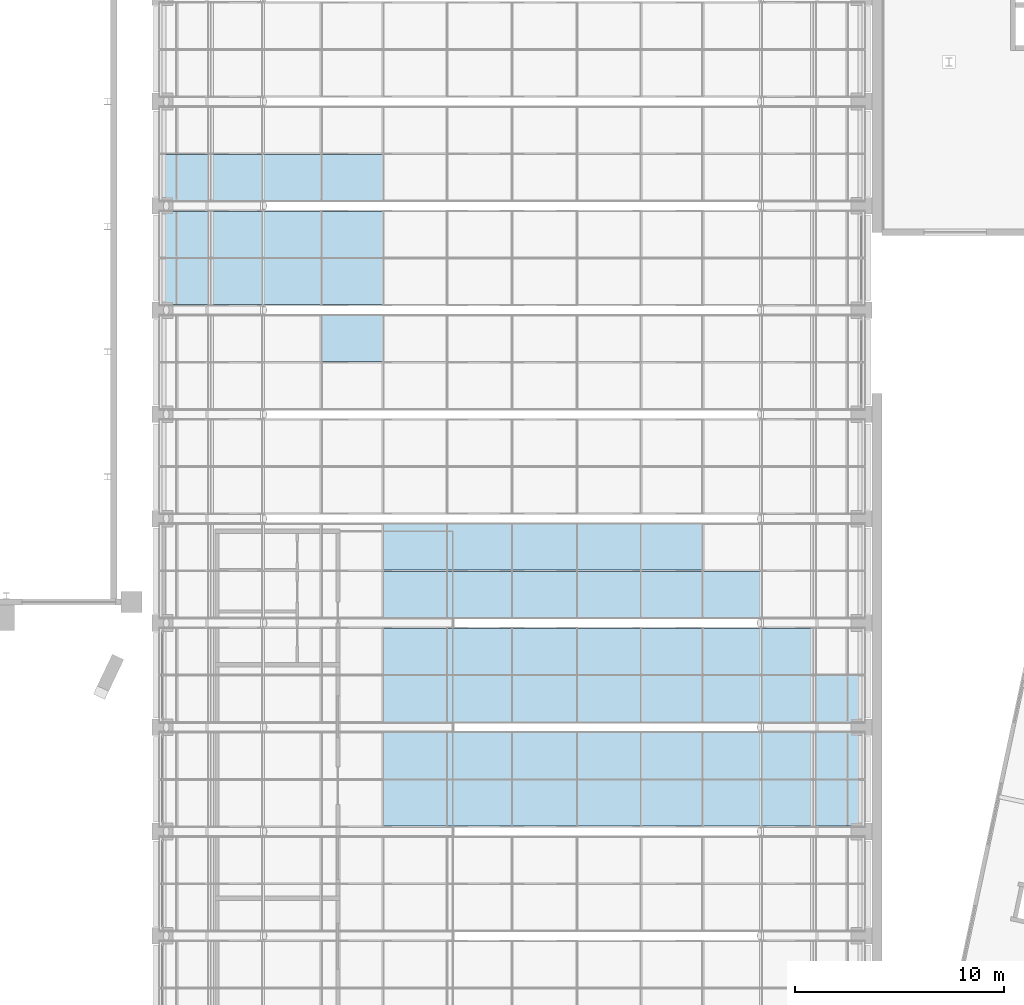
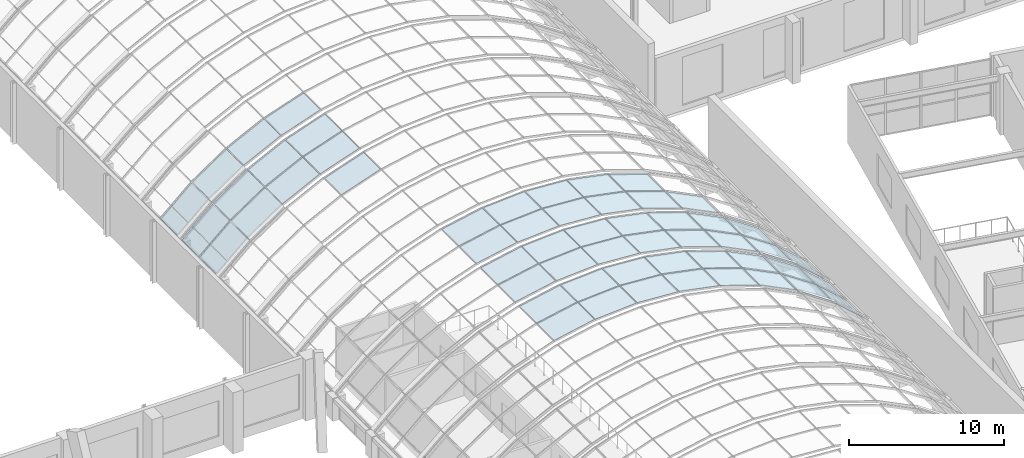
# One storey, part 109 of 182: 55 plates, 6 elements without a shape of their own.
"""IFC4 building model written with IfcOpenShell, lengths in metres."""

import ifcopenshell
import ifcopenshell.guid

model = None  # the IFC model being written
_history = None  # IfcOwnerHistory: only IFC2X3 demands one
_inside = {}  # id of a spatial element -> (the spatial element, [elements in it])
_under = {}  # id of a project, library or spatial element -> (it, [spatial elements below it])
_declared = {}  # id of a project -> (the project, [libraries it declares])
_typed = {}  # id of a type object -> (the type object, [elements of that type])
_made_of = {}  # id of a material, layer set ... -> (it, [elements and type objects made of it])


def new_model(schema):
    """Start an empty IFC model of exactly this schema.

    Asked for "IFC4X3", IfcOpenShell would pick the latest addendum, in which some entities
    have other attributes; the version numbers below select the first issue.
    IFC2X3 requires an IfcOwnerHistory on every rooted entity: one is made here for all.
    """
    global model, _history
    if schema == "IFC4X3":
        model = ifcopenshell.file(schema_version=(4, 3, 0, 0))
    else:
        model = ifcopenshell.file(schema=schema)
    _inside.clear()
    _under.clear()
    _declared.clear()
    _typed.clear()
    _made_of.clear()
    _history = None
    if model.schema == "IFC2X3":
        org = make("IfcOrganization", Name="unknown")
        user = make(
            "IfcPersonAndOrganization",
            ThePerson=make("IfcPerson", FamilyName="unknown"),
            TheOrganization=org,
        )
        app = make(
            "IfcApplication",
            ApplicationDeveloper=org,
            Version="unknown",
            ApplicationFullName="unknown",
            ApplicationIdentifier="unknown",
        )
        _history = make(
            "IfcOwnerHistory",
            OwningUser=user,
            OwningApplication=app,
            ChangeAction="ADDED",
            CreationDate=0,
        )
    return model


def make(cls, **values):
    """One entity of the class cls with the attributes given. An attribute that is None is left unset."""
    return model.create_entity(
        cls, **{name: value for name, value in values.items() if value is not None}
    )


def rooted(cls, **values):
    """An entity with a GlobalId (a new one), such as an element, a storey or a relation."""
    return make(cls, GlobalId=ifcopenshell.guid.new(), OwnerHistory=_history, **values)


def si_unit(unit_type, name, prefix=None):
    """IfcSIUnit, for example si_unit("LENGTHUNIT", "METRE", prefix="MILLI")."""
    return make("IfcSIUnit", UnitType=unit_type, Prefix=prefix, Name=name)


def assignment(units):
    """IfcUnitAssignment: the units of a project."""
    return None if units is None else make("IfcUnitAssignment", Units=units)


def point(xyz):
    """IfcCartesianPoint."""
    return None if xyz is None else make("IfcCartesianPoint", Coordinates=xyz)


def direction(xyz):
    """IfcDirection."""
    return None if xyz is None else make("IfcDirection", DirectionRatios=xyz)


def frame(location, z_axis=None, x_axis=None):
    """IfcAxis2Placement3D, a coordinate frame: its origin and axes. An axis left out is left unset."""
    return make(
        "IfcAxis2Placement3D",
        Location=point(location),
        Axis=direction(z_axis),
        RefDirection=direction(x_axis),
    )


def origin():
    """The frame at (0, 0, 0) with its axes left unset."""
    return frame((0.0, 0.0, 0.0))


def place(relative_to, where):
    """IfcLocalPlacement: puts the frame where relative to a parent placement (None: the world)."""
    return make(
        "IfcLocalPlacement", PlacementRelTo=relative_to, RelativePlacement=where
    )


def context(
    kind, dimensions, precision=None, world=None, true_north=None, identifier=None
):
    """IfcGeometricRepresentationContext, for example the 3D "Model" context."""
    return make(
        "IfcGeometricRepresentationContext",
        ContextIdentifier=identifier,
        ContextType=kind,
        CoordinateSpaceDimension=dimensions,
        Precision=precision,
        WorldCoordinateSystem=world,
        TrueNorth=true_north,
    )


def subcontext(parent, identifier, kind, view, scale=None):
    """IfcGeometricRepresentationSubContext, for example "Body" below "Model"."""
    return make(
        "IfcGeometricRepresentationSubContext",
        ContextIdentifier=identifier,
        ContextType=kind,
        ParentContext=parent,
        TargetScale=scale,
        TargetView=view,
    )


def project(units=None, contexts=None):
    """IfcProject with its units and contexts."""
    return rooted(
        "IfcProject",
        Name="project",
        RepresentationContexts=contexts,
        UnitsInContext=assignment(units),
    )


def spatial(cls, under=None, at=None, **own):
    """A site, building, storey or space (cls), placed at a placement, below another one or the project."""
    s = rooted(cls, ObjectPlacement=at, **own)
    if under is not None:
        _under.setdefault(under.id(), (under, []))[1].append(s)
    return s


def polyline(points):
    """IfcPolyline through the points."""
    return make("IfcPolyline", Points=[point(p) for p in points])


def outline(outer, holes=None, kind="AREA"):
    """IfcArbitraryClosedProfileDef: a profile drawn as a closed curve; with holes, ...WithVoids."""
    if holes is None:
        return make("IfcArbitraryClosedProfileDef", ProfileType=kind, OuterCurve=outer)
    return make(
        "IfcArbitraryProfileDefWithVoids",
        ProfileType=kind,
        OuterCurve=outer,
        InnerCurves=holes,
    )


def extrude(swept, where, along, depth):
    """IfcExtrudedAreaSolid: the profile swept, set in the frame where, extruded along a direction by depth."""
    return make(
        "IfcExtrudedAreaSolid",
        SweptArea=swept,
        Position=where,
        ExtrudedDirection=direction(along),
        Depth=depth,
    )


def shape(context_of_items, identifier, shape_type, items):
    """IfcShapeRepresentation: the items that make up one representation, for example the "Body"."""
    return make(
        "IfcShapeRepresentation",
        ContextOfItems=context_of_items,
        RepresentationIdentifier=identifier,
        RepresentationType=shape_type,
        Items=items,
    )


def material(Name=None, Category=None):
    """IfcMaterial."""
    return make("IfcMaterial", Name=Name, Category=Category)


def layer(
    of_material, thickness, ventilated=None, Name=None, Category=None, Priority=None
):
    """IfcMaterialLayer: one layer of a wall or slab, of a material (None: an air gap)."""
    return make(
        "IfcMaterialLayer",
        Material=of_material,
        LayerThickness=thickness,
        IsVentilated=ventilated,
        Name=Name,
        Category=Category,
        Priority=Priority,
    )


def layer_set(layers, Name=None):
    """IfcMaterialLayerSet."""
    return make("IfcMaterialLayerSet", MaterialLayers=layers, LayerSetName=Name)


def made_of(thing, what):
    """Note that an element or type object is made of a material, layer set ...; save() writes the relation."""
    if what is not None:
        _made_of.setdefault(what.id(), (what, []))[1].append(thing)
    return thing


def type_object(cls, material=None, **own):
    """A type object (cls), such as IfcWallType, which elements share."""
    return made_of(rooted(cls, **own), material)


def element(
    cls,
    number,
    at=None,
    inside=None,
    cuts=None,
    type_object=None,
    material=None,
    context=None,
    identifier="Body",
    shape_type=None,
    held_by="IfcProductDefinitionShape",
    body=None,
    shapes=None,
    **own,
):
    """One element of the class cls, such as IfcWall. Its Tag is "e" and its number.

    at: its placement. inside: the storey or other place that contains it. cuts: it is an
    opening in that element (IfcRelVoidsElement). A single representation is given by context,
    identifier, shape_type and body (its items); several are given by shapes. held_by: the class
    of the entity that holds the representations. save() writes the other relations.
    """
    e = rooted(cls, Tag="e%d" % number, ObjectPlacement=at, **own)
    if body is not None:
        shapes = [shape(context, identifier, shape_type, body)]
    if shapes is not None:
        e.Representation = make(held_by, Representations=shapes)
    if inside is not None:
        _inside.setdefault(inside.id(), (inside, []))[1].append(e)
    if cuts is not None:
        rooted(
            "IfcRelVoidsElement", RelatingBuildingElement=cuts, RelatedOpeningElement=e
        )
    if type_object is not None:
        _typed.setdefault(type_object.id(), (type_object, []))[1].append(e)
    return made_of(e, material)


def aggregate(whole, parts):
    """IfcRelAggregates: a whole, such as a stair, and the parts it consists of."""
    return rooted("IfcRelAggregates", RelatingObject=whole, RelatedObjects=parts)


def save(model, path):
    """Write the relations noted so far, then the file.

    IfcRelAggregates (storeys below a building ...), IfcRelContainedInSpatialStructure (elements
    in a storey), IfcRelDefinesByType, IfcRelAssociatesMaterial and IfcRelDeclares: one each for
    every whole, place, type object, material and project.
    """
    for whole, parts in _under.values():
        aggregate(whole, parts)
    for where, things in _inside.values():
        rooted(
            "IfcRelContainedInSpatialStructure",
            RelatedElements=things,
            RelatingStructure=where,
        )
    for kind, things in _typed.values():
        rooted("IfcRelDefinesByType", RelatedObjects=things, RelatingType=kind)
    for what, things in _made_of.values():
        rooted("IfcRelAssociatesMaterial", RelatedObjects=things, RelatingMaterial=what)
    for by, libraries in _declared.values():
        rooted("IfcRelDeclares", RelatingContext=by, RelatedDefinitions=libraries)
    model.write(path)


model = new_model("IFC4")

# Units and contexts
model_context = context("Model", 3, precision=1e-05, world=origin(), true_north=direction((0.0, 1.0)))
body_context = subcontext(model_context, "Body", "Model", "MODEL_VIEW")
ifc_project = project(units=[si_unit("LENGTHUNIT", "METRE"), si_unit("AREAUNIT", "SQUARE_METRE"), si_unit("VOLUMEUNIT", "CUBIC_METRE"), si_unit("PLANEANGLEUNIT", "RADIAN"), si_unit("MASSUNIT", "GRAM", prefix="KILO")], contexts=[model_context])

# Site, building, storey
site_placement = place(None, origin())
site = spatial("IfcSite", under=ifc_project, at=site_placement, CompositionType="ELEMENT")
building_placement = place(site_placement, origin())
building = spatial("IfcBuilding", under=site, at=building_placement, Name="Okhra Congress Centre", CompositionType="ELEMENT")
storey_placement = place(building_placement, frame((0.0, 0.0, 7.199951171875)))
storey = spatial("IfcBuildingStorey", under=building, at=storey_placement, Name="L01", CompositionType="ELEMENT", Elevation=7.199951171875)

# Curtain wall, plates
ifc_material_1 = material(Name="Aluminium frame with triple glazing", Category="aluminium")
curtain_wall_type = type_object("IfcCurtainWallType", Name="Glazed vault bay curtain wall", PredefinedType="NOTDEFINED", material=ifc_material_1)
curtain_wall_1_placement = place(storey_placement, origin())
curtain_wall_1 = element("IfcCurtainWall", 1, at=curtain_wall_1_placement, inside=storey, type_object=curtain_wall_type, Name="Vault glazing bay 10", PredefinedType="NOTDEFINED")
ifc_material_2 = material(Name="Laminated toughened glass unit, low-e coating", Category="glass")
ifc_layer_1 = layer(ifc_material_2, 0.035888671875)
ifc_layer_set_1 = layer_set([ifc_layer_1], Name="Laminated safety glazing unit 36 mm")
plate_type_1 = type_object("IfcPlateType", Name="Laminated safety glazing unit 36 mm", PredefinedType="CURTAIN_PANEL", material=ifc_layer_set_1)
plate_1_placement = place(storey_placement, frame((184.217529296875, 121.26318359375, 5.729248046875), z_axis=(0.55946738617, 0.0, 0.82885236551), x_axis=(0.82885236551, 0.0, -0.55946738617)))
plate_1 = element("IfcPlate", 2, at=plate_1_placement, type_object=plate_type_1, Name="Vault glass panel 10.1.11", PredefinedType="CURTAIN_PANEL", context=body_context, shape_type="SweptSolid", body=[
    extrude(outline(polyline([(0.0, 0.0), (3.0668817430899797, 0.0), (3.0668817430899797, 2.206787109375), (0.0, 2.206787109375), (0.0, 0.0)])), origin(), (0.0, 0.0, -1.0), 0.035888671875),
])
plate_2_placement = place(storey_placement, frame((186.806640625, 121.26318359375, 3.976806640625), z_axis=(0.663696509452, 0.0, 0.748001967472), x_axis=(0.748001967472, 0.0, -0.663696509452)))
plate_2 = element("IfcPlate", 3, at=plate_2_placement, type_object=plate_type_1, Name="Vault glass panel 10.1.12", PredefinedType="CURTAIN_PANEL", context=body_context, shape_type="SweptSolid", body=[
    extrude(outline(polyline([(0.0, 0.0), (3.066763741617069, 0.0), (3.066763741617069, 2.206787109375), (0.0, 2.206787109375), (0.0, 0.0)])), origin(), (0.0, 0.0, -1.0), 0.035888671875),
])
plate_3_placement = place(storey_placement, frame((184.217529296875, 123.530029296875, 5.729248046875), z_axis=(0.55946738617, 0.0, 0.82885236551), x_axis=(0.82885236551, 0.0, -0.55946738617)))
plate_3 = element("IfcPlate", 4, at=plate_3_placement, type_object=plate_type_1, Name="Vault glass panel 10.2.11", PredefinedType="CURTAIN_PANEL", context=body_context, shape_type="SweptSolid", body=[
    extrude(outline(polyline([(0.0, 0.0), (3.0668817430899797, 0.0), (3.0668817430899797, 2.206787109375), (0.0, 2.206787109375), (0.0, 0.0)])), origin(), (0.0, 0.0, -1.0), 0.035888671875),
])
plate_4_placement = place(storey_placement, frame((186.806640625, 123.530029296875, 3.976806640625), z_axis=(0.663696509452, 0.0, 0.748001967472), x_axis=(0.748001967472, 0.0, -0.663696509452)))
plate_4 = element("IfcPlate", 5, at=plate_4_placement, type_object=plate_type_1, Name="Vault glass panel 10.2.12", PredefinedType="CURTAIN_PANEL", context=body_context, shape_type="SweptSolid", body=[
    extrude(outline(polyline([(0.0, 0.0), (3.066763741617069, 0.0), (3.066763741617069, 2.206787109375), (0.0, 2.206787109375), (0.0, 0.0)])), origin(), (0.0, 0.0, -1.0), 0.035888671875),
])

curtain_wall_2_placement = place(storey_placement, origin())
curtain_wall_2 = element("IfcCurtainWall", 6, at=curtain_wall_2_placement, inside=storey, type_object=curtain_wall_type, Name="Vault glazing bay 11", PredefinedType="NOTDEFINED")
plate_5_placement = place(storey_placement, frame((184.217529296875, 126.26318359375, 5.729248046875), z_axis=(0.55946738617, 0.0, 0.82885236551), x_axis=(0.82885236551, 0.0, -0.55946738617)))
plate_5 = element("IfcPlate", 7, at=plate_5_placement, type_object=plate_type_1, Name="Vault glass panel 11.1.11", PredefinedType="CURTAIN_PANEL", context=body_context, shape_type="SweptSolid", body=[
    extrude(outline(polyline([(0.0, 0.0), (3.0668817430899797, 0.0), (3.0668817430899797, 2.206787109375), (0.0, 2.206787109375), (0.0, 0.0)])), origin(), (0.0, 0.0, -1.0), 0.035888671875),
])
plate_6_placement = place(storey_placement, frame((186.806640625, 126.26318359375, 3.976806640625), z_axis=(0.663696509452, 0.0, 0.748001967472), x_axis=(0.748001967472, 0.0, -0.663696509452)))
plate_6 = element("IfcPlate", 8, at=plate_6_placement, type_object=plate_type_1, Name="Vault glass panel 11.1.12", PredefinedType="CURTAIN_PANEL", context=body_context, shape_type="SweptSolid", body=[
    extrude(outline(polyline([(0.0, 0.0), (3.066763741617069, 0.0), (3.066763741617069, 2.206787109375), (0.0, 2.206787109375), (0.0, 0.0)])), origin(), (0.0, 0.0, -1.0), 0.035888671875),
])
plate_7_placement = place(storey_placement, frame((184.217529296875, 128.530029296875, 5.729248046875), z_axis=(0.55946738617, 0.0, 0.82885236551), x_axis=(0.82885236551, 0.0, -0.55946738617)))
plate_7 = element("IfcPlate", 9, at=plate_7_placement, type_object=plate_type_1, Name="Vault glass panel 11.2.11", PredefinedType="CURTAIN_PANEL", context=body_context, shape_type="SweptSolid", body=[
    extrude(outline(polyline([(0.0, 0.0), (3.0668817430899797, 0.0), (3.0668817430899797, 2.206787109375), (0.0, 2.206787109375), (0.0, 0.0)])), origin(), (0.0, 0.0, -1.0), 0.035888671875),
])

curtain_wall_3_placement = place(storey_placement, origin())
curtain_wall_3 = element("IfcCurtainWall", 10, at=curtain_wall_3_placement, inside=storey, type_object=curtain_wall_type, Name="Vault glazing bay 15", PredefinedType="NOTDEFINED")
plate_8_placement = place(storey_placement, frame((155.3994140625, 146.26318359375, 1.94140625), z_axis=(-0.663696509452, 0.0, 0.748001967472), x_axis=(0.748001967472, 0.0, 0.663696509452)))
plate_8 = element("IfcPlate", 11, at=plate_8_placement, type_object=plate_type_1, Name="Vault glass panel 15.1.1", PredefinedType="CURTAIN_PANEL", context=body_context, shape_type="SweptSolid", body=[
    extrude(outline(polyline([(0.0, 0.0), (3.066763741617069, 0.0), (3.066763741617069, 2.206787109375), (0.0, 2.206787109375), (0.0, 0.0)])), origin(), (0.0, 0.0, -1.0), 0.035888671875),
])
plate_9_placement = place(storey_placement, frame((157.740478515625, 146.26318359375, 4.013427734375), z_axis=(-0.55946738617, 0.0, 0.82885236551), x_axis=(0.82885236551, 0.0, 0.55946738617)))
plate_9 = element("IfcPlate", 12, at=plate_9_placement, type_object=plate_type_1, Name="Vault glass panel 15.1.2", PredefinedType="CURTAIN_PANEL", context=body_context, shape_type="SweptSolid", body=[
    extrude(outline(polyline([(0.0, 0.0), (3.0668817430899797, 0.0), (3.0668817430899797, 2.206787109375), (0.0, 2.206787109375), (0.0, 0.0)])), origin(), (0.0, 0.0, -1.0), 0.035888671875),
])
plate_10_placement = place(storey_placement, frame((155.3994140625, 148.530029296875, 1.94140625), z_axis=(-0.663696509452, 0.0, 0.748001967472), x_axis=(0.748001967472, 0.0, 0.663696509452)))
plate_10 = element("IfcPlate", 13, at=plate_10_placement, type_object=plate_type_1, Name="Vault glass panel 15.2.1", PredefinedType="CURTAIN_PANEL", context=body_context, shape_type="SweptSolid", body=[
    extrude(outline(polyline([(0.0, 0.0), (3.066763741617069, 0.0), (3.066763741617069, 2.206787109375), (0.0, 2.206787109375), (0.0, 0.0)])), origin(), (0.0, 0.0, -1.0), 0.035888671875),
])
plate_11_placement = place(storey_placement, frame((157.740478515625, 148.530029296875, 4.013427734375), z_axis=(-0.55946738617, 0.0, 0.82885236551), x_axis=(0.82885236551, 0.0, 0.55946738617)))
plate_11 = element("IfcPlate", 14, at=plate_11_placement, type_object=plate_type_1, Name="Vault glass panel 15.2.2", PredefinedType="CURTAIN_PANEL", context=body_context, shape_type="SweptSolid", body=[
    extrude(outline(polyline([(0.0, 0.0), (3.0668817430899797, 0.0), (3.0668817430899797, 2.206787109375), (0.0, 2.206787109375), (0.0, 0.0)])), origin(), (0.0, 0.0, -1.0), 0.035888671875),
])

curtain_wall_4_placement = place(storey_placement, origin())
curtain_wall_4 = element("IfcCurtainWall", 15, at=curtain_wall_4_placement, inside=storey, type_object=curtain_wall_type, Name="Vault glazing bay 16", PredefinedType="NOTDEFINED")
plate_12_placement = place(storey_placement, frame((155.3994140625, 151.26318359375, 1.94140625), z_axis=(-0.663696509452, 0.0, 0.748001967472), x_axis=(0.748001967472, 0.0, 0.663696509452)))
plate_12 = element("IfcPlate", 16, at=plate_12_placement, type_object=plate_type_1, Name="Vault glass panel 16.1.1", PredefinedType="CURTAIN_PANEL", context=body_context, shape_type="SweptSolid", body=[
    extrude(outline(polyline([(0.0, 0.0), (3.066763741617069, 0.0), (3.066763741617069, 2.206787109375), (0.0, 2.206787109375), (0.0, 0.0)])), origin(), (0.0, 0.0, -1.0), 0.035888671875),
])
plate_13_placement = place(storey_placement, frame((157.740478515625, 151.26318359375, 4.013427734375), z_axis=(-0.55946738617, 0.0, 0.82885236551), x_axis=(0.82885236551, 0.0, 0.55946738617)))
plate_13 = element("IfcPlate", 17, at=plate_13_placement, type_object=plate_type_1, Name="Vault glass panel 16.1.2", PredefinedType="CURTAIN_PANEL", context=body_context, shape_type="SweptSolid", body=[
    extrude(outline(polyline([(0.0, 0.0), (3.0668817430899797, 0.0), (3.0668817430899797, 2.206787109375), (0.0, 2.206787109375), (0.0, 0.0)])), origin(), (0.0, 0.0, -1.0), 0.035888671875),
])

# Plate
ifc_material_3 = material(Name="Toughened triple glazed unit")
ifc_layer_2 = layer(ifc_material_3, 0.028076171875)
ifc_layer_set_2 = layer_set([ifc_layer_2], Name="Triple glazed unit 28 mm")
plate_type_2 = type_object("IfcPlateType", Name="Triple glazed unit 28 mm", PredefinedType="CURTAIN_PANEL", material=ifc_layer_set_2)
plate_14_placement = place(storey_placement, frame((166.094970703125, 121.26318359375, 8.154052734375), z_axis=(-0.196667336174, 0.0, 0.980470274349), x_axis=(0.980470274349, 0.0, 0.196667336174)))
plate_14 = element("IfcPlate", 18, at=plate_14_placement, type_object=plate_type_2, Name="Vault glass panel 10.1.5", PredefinedType="CURTAIN_PANEL", context=body_context, shape_type="SweptSolid", body=[
    extrude(outline(polyline([(0.0, 0.0), (3.0662302926476426, 0.0), (3.0662302926476426, 2.206787109375), (0.0, 2.206787109375), (0.0, 0.0)])), origin(), (0.0, 0.0, -1.0), 0.028076171875),
])

plate_15_placement = place(storey_placement, frame((169.16064453125, 121.26318359375, 8.764892578125), z_axis=(-0.065932355807, 0.0, 0.997824094947), x_axis=(0.997824094947, 0.0, 0.065932355807)))
plate_15 = element("IfcPlate", 19, at=plate_15_placement, type_object=plate_type_2, Name="Vault glass panel 10.1.6", PredefinedType="CURTAIN_PANEL", context=body_context, shape_type="SweptSolid", body=[
    extrude(outline(polyline([(0.0, 0.0), (3.0659974913073613, 0.0), (3.0659974913073613, 2.2067871093750004), (0.0, 2.2067871093750004), (0.0, 0.0)])), origin(), (0.0, 0.0, -1.0), 0.028076171875),
])

plate_16_placement = place(storey_placement, frame((172.280029296875, 121.26318359375, 8.967041015625), z_axis=(0.065932355807, 0.0, 0.997824094947), x_axis=(0.997824094947, 0.0, -0.065932355807)))
plate_16 = element("IfcPlate", 20, at=plate_16_placement, type_object=plate_type_2, Name="Vault glass panel 10.1.7", PredefinedType="CURTAIN_PANEL", context=body_context, shape_type="SweptSolid", body=[
    extrude(outline(polyline([(0.0, 0.0), (3.0659974913073613, 0.0), (3.0659974913073613, 2.2067871093750004), (0.0, 2.2067871093750004), (0.0, 0.0)])), origin(), (0.0, 0.0, -1.0), 0.028076171875),
])

plate_17_placement = place(storey_placement, frame((175.398681640625, 121.26318359375, 8.757080078125), z_axis=(0.196667336174, 0.0, 0.980470274349), x_axis=(0.980470274349, 0.0, -0.196667336174)))
plate_17 = element("IfcPlate", 21, at=plate_17_placement, type_object=plate_type_2, Name="Vault glass panel 10.1.8", PredefinedType="CURTAIN_PANEL", context=body_context, shape_type="SweptSolid", body=[
    extrude(outline(polyline([(0.0, 0.0), (3.0662302926476426, 0.0), (3.0662302926476426, 2.206787109375), (0.0, 2.206787109375), (0.0, 0.0)])), origin(), (0.0, 0.0, -1.0), 0.028076171875),
])

plate_18_placement = place(storey_placement, frame((178.462890625, 121.26318359375, 8.138427734375), z_axis=(0.323909017048, 0.0, 0.946088235143), x_axis=(0.946088235143, 0.0, -0.323909017048)))
plate_18 = element("IfcPlate", 22, at=plate_18_placement, type_object=plate_type_2, Name="Vault glass panel 10.1.9", PredefinedType="CURTAIN_PANEL", context=body_context, shape_type="SweptSolid", body=[
    extrude(outline(polyline([(0.0, 0.0), (3.0661822000278622, 0.0), (3.0661822000278622, 2.2067871093750004), (0.0, 2.2067871093750004), (0.0, 0.0)])), origin(), (0.0, 0.0, -1.0), 0.028076171875),
])

plate_19_placement = place(storey_placement, frame((181.4189453125, 121.26318359375, 7.122314453125), z_axis=(0.445588482535, 0.0, 0.895237903706), x_axis=(0.895237903706, 0.0, -0.445588482535)))
plate_19 = element("IfcPlate", 23, at=plate_19_placement, type_object=plate_type_2, Name="Vault glass panel 10.1.10", PredefinedType="CURTAIN_PANEL", context=body_context, shape_type="SweptSolid", body=[
    extrude(outline(polyline([(0.0, 0.0), (3.066082250887193, 0.0), (3.066082250887193, 2.206787109375), (0.0, 2.206787109375), (0.0, 0.0)])), origin(), (0.0, 0.0, -1.0), 0.028076171875),
])

plate_20_placement = place(storey_placement, frame((166.094970703125, 123.530029296875, 8.154052734375), z_axis=(-0.196667336174, 0.0, 0.980470274349), x_axis=(0.980470274349, 0.0, 0.196667336174)))
plate_20 = element("IfcPlate", 24, at=plate_20_placement, type_object=plate_type_2, Name="Vault glass panel 10.2.5", PredefinedType="CURTAIN_PANEL", context=body_context, shape_type="SweptSolid", body=[
    extrude(outline(polyline([(0.0, 0.0), (3.0662302926476426, 0.0), (3.0662302926476426, 2.206787109375), (0.0, 2.206787109375), (0.0, 0.0)])), origin(), (0.0, 0.0, -1.0), 0.028076171875),
])

plate_21_placement = place(storey_placement, frame((169.16064453125, 123.530029296875, 8.764892578125), z_axis=(-0.065932355807, 0.0, 0.997824094947), x_axis=(0.997824094947, 0.0, 0.065932355807)))
plate_21 = element("IfcPlate", 25, at=plate_21_placement, type_object=plate_type_2, Name="Vault glass panel 10.2.6", PredefinedType="CURTAIN_PANEL", context=body_context, shape_type="SweptSolid", body=[
    extrude(outline(polyline([(0.0, 0.0), (3.0659974913073613, 0.0), (3.0659974913073613, 2.2067871093750004), (0.0, 2.2067871093750004), (0.0, 0.0)])), origin(), (0.0, 0.0, -1.0), 0.028076171875),
])

plate_22_placement = place(storey_placement, frame((172.280029296875, 123.530029296875, 8.967041015625), z_axis=(0.065932355807, 0.0, 0.997824094947), x_axis=(0.997824094947, 0.0, -0.065932355807)))
plate_22 = element("IfcPlate", 26, at=plate_22_placement, type_object=plate_type_2, Name="Vault glass panel 10.2.7", PredefinedType="CURTAIN_PANEL", context=body_context, shape_type="SweptSolid", body=[
    extrude(outline(polyline([(0.0, 0.0), (3.0659974913073613, 0.0), (3.0659974913073613, 2.2067871093750004), (0.0, 2.2067871093750004), (0.0, 0.0)])), origin(), (0.0, 0.0, -1.0), 0.028076171875),
])

plate_23_placement = place(storey_placement, frame((175.398681640625, 123.530029296875, 8.757080078125), z_axis=(0.196667336174, 0.0, 0.980470274349), x_axis=(0.980470274349, 0.0, -0.196667336174)))
plate_23 = element("IfcPlate", 27, at=plate_23_placement, type_object=plate_type_2, Name="Vault glass panel 10.2.8", PredefinedType="CURTAIN_PANEL", context=body_context, shape_type="SweptSolid", body=[
    extrude(outline(polyline([(0.0, 0.0), (3.0662302926476426, 0.0), (3.0662302926476426, 2.206787109375), (0.0, 2.206787109375), (0.0, 0.0)])), origin(), (0.0, 0.0, -1.0), 0.028076171875),
])

plate_24_placement = place(storey_placement, frame((178.462890625, 123.530029296875, 8.138427734375), z_axis=(0.323909017048, 0.0, 0.946088235143), x_axis=(0.946088235143, 0.0, -0.323909017048)))
plate_24 = element("IfcPlate", 28, at=plate_24_placement, type_object=plate_type_2, Name="Vault glass panel 10.2.9", PredefinedType="CURTAIN_PANEL", context=body_context, shape_type="SweptSolid", body=[
    extrude(outline(polyline([(0.0, 0.0), (3.0661822000278622, 0.0), (3.0661822000278622, 2.2067871093750004), (0.0, 2.2067871093750004), (0.0, 0.0)])), origin(), (0.0, 0.0, -1.0), 0.028076171875),
])

plate_25_placement = place(storey_placement, frame((181.4189453125, 123.530029296875, 7.122314453125), z_axis=(0.445588482535, 0.0, 0.895237903706), x_axis=(0.895237903706, 0.0, -0.445588482535)))
plate_25 = element("IfcPlate", 29, at=plate_25_placement, type_object=plate_type_2, Name="Vault glass panel 10.2.10", PredefinedType="CURTAIN_PANEL", context=body_context, shape_type="SweptSolid", body=[
    extrude(outline(polyline([(0.0, 0.0), (3.066082250887193, 0.0), (3.066082250887193, 2.206787109375), (0.0, 2.206787109375), (0.0, 0.0)])), origin(), (0.0, 0.0, -1.0), 0.028076171875),
])

aggregate(curtain_wall_1, [plate_14, plate_15, plate_16, plate_17, plate_18, plate_19, plate_1, plate_2, plate_20, plate_21, plate_22, plate_23, plate_24, plate_25, plate_3, plate_4])

plate_26_placement = place(storey_placement, frame((166.094970703125, 126.26318359375, 8.154052734375), z_axis=(-0.196667336174, 0.0, 0.980470274349), x_axis=(0.980470274349, 0.0, 0.196667336174)))
plate_26 = element("IfcPlate", 30, at=plate_26_placement, type_object=plate_type_2, Name="Vault glass panel 11.1.5", PredefinedType="CURTAIN_PANEL", context=body_context, shape_type="SweptSolid", body=[
    extrude(outline(polyline([(0.0, 0.0), (3.0662302926476426, 0.0), (3.0662302926476426, 2.206787109375), (0.0, 2.206787109375), (0.0, 0.0)])), origin(), (0.0, 0.0, -1.0), 0.028076171875),
])

plate_27_placement = place(storey_placement, frame((169.16064453125, 126.26318359375, 8.764892578125), z_axis=(-0.065932355807, 0.0, 0.997824094947), x_axis=(0.997824094947, 0.0, 0.065932355807)))
plate_27 = element("IfcPlate", 31, at=plate_27_placement, type_object=plate_type_2, Name="Vault glass panel 11.1.6", PredefinedType="CURTAIN_PANEL", context=body_context, shape_type="SweptSolid", body=[
    extrude(outline(polyline([(0.0, 0.0), (3.0659974913073613, 0.0), (3.0659974913073613, 2.2067871093750004), (0.0, 2.2067871093750004), (0.0, 0.0)])), origin(), (0.0, 0.0, -1.0), 0.028076171875),
])

plate_28_placement = place(storey_placement, frame((172.280029296875, 126.26318359375, 8.967041015625), z_axis=(0.065932355807, 0.0, 0.997824094947), x_axis=(0.997824094947, 0.0, -0.065932355807)))
plate_28 = element("IfcPlate", 32, at=plate_28_placement, type_object=plate_type_2, Name="Vault glass panel 11.1.7", PredefinedType="CURTAIN_PANEL", context=body_context, shape_type="SweptSolid", body=[
    extrude(outline(polyline([(0.0, 0.0), (3.0659974913073613, 0.0), (3.0659974913073613, 2.2067871093750004), (0.0, 2.2067871093750004), (0.0, 0.0)])), origin(), (0.0, 0.0, -1.0), 0.028076171875),
])

plate_29_placement = place(storey_placement, frame((175.398681640625, 126.26318359375, 8.757080078125), z_axis=(0.196667336174, 0.0, 0.980470274349), x_axis=(0.980470274349, 0.0, -0.196667336174)))
plate_29 = element("IfcPlate", 33, at=plate_29_placement, type_object=plate_type_2, Name="Vault glass panel 11.1.8", PredefinedType="CURTAIN_PANEL", context=body_context, shape_type="SweptSolid", body=[
    extrude(outline(polyline([(0.0, 0.0), (3.0662302926476426, 0.0), (3.0662302926476426, 2.206787109375), (0.0, 2.206787109375), (0.0, 0.0)])), origin(), (0.0, 0.0, -1.0), 0.028076171875),
])

plate_30_placement = place(storey_placement, frame((178.462890625, 126.26318359375, 8.138427734375), z_axis=(0.323909017048, 0.0, 0.946088235143), x_axis=(0.946088235143, 0.0, -0.323909017048)))
plate_30 = element("IfcPlate", 34, at=plate_30_placement, type_object=plate_type_2, Name="Vault glass panel 11.1.9", PredefinedType="CURTAIN_PANEL", context=body_context, shape_type="SweptSolid", body=[
    extrude(outline(polyline([(0.0, 0.0), (3.0661822000278622, 0.0), (3.0661822000278622, 2.2067871093750004), (0.0, 2.2067871093750004), (0.0, 0.0)])), origin(), (0.0, 0.0, -1.0), 0.028076171875),
])

plate_31_placement = place(storey_placement, frame((181.4189453125, 126.26318359375, 7.122314453125), z_axis=(0.445588482535, 0.0, 0.895237903706), x_axis=(0.895237903706, 0.0, -0.445588482535)))
plate_31 = element("IfcPlate", 35, at=plate_31_placement, type_object=plate_type_2, Name="Vault glass panel 11.1.10", PredefinedType="CURTAIN_PANEL", context=body_context, shape_type="SweptSolid", body=[
    extrude(outline(polyline([(0.0, 0.0), (3.066082250887193, 0.0), (3.066082250887193, 2.206787109375), (0.0, 2.206787109375), (0.0, 0.0)])), origin(), (0.0, 0.0, -1.0), 0.028076171875),
])

plate_32_placement = place(storey_placement, frame((166.094970703125, 128.530029296875, 8.154052734375), z_axis=(-0.196667336174, 0.0, 0.980470274349), x_axis=(0.980470274349, 0.0, 0.196667336174)))
plate_32 = element("IfcPlate", 36, at=plate_32_placement, type_object=plate_type_2, Name="Vault glass panel 11.2.5", PredefinedType="CURTAIN_PANEL", context=body_context, shape_type="SweptSolid", body=[
    extrude(outline(polyline([(0.0, 0.0), (3.0662302926476426, 0.0), (3.0662302926476426, 2.206787109375), (0.0, 2.206787109375), (0.0, 0.0)])), origin(), (0.0, 0.0, -1.0), 0.028076171875),
])

plate_33_placement = place(storey_placement, frame((169.16064453125, 128.530029296875, 8.764892578125), z_axis=(-0.065932355807, 0.0, 0.997824094947), x_axis=(0.997824094947, 0.0, 0.065932355807)))
plate_33 = element("IfcPlate", 37, at=plate_33_placement, type_object=plate_type_2, Name="Vault glass panel 11.2.6", PredefinedType="CURTAIN_PANEL", context=body_context, shape_type="SweptSolid", body=[
    extrude(outline(polyline([(0.0, 0.0), (3.0659974913073613, 0.0), (3.0659974913073613, 2.2067871093750004), (0.0, 2.2067871093750004), (0.0, 0.0)])), origin(), (0.0, 0.0, -1.0), 0.028076171875),
])

plate_34_placement = place(storey_placement, frame((172.280029296875, 128.530029296875, 8.967041015625), z_axis=(0.065932355807, 0.0, 0.997824094947), x_axis=(0.997824094947, 0.0, -0.065932355807)))
plate_34 = element("IfcPlate", 38, at=plate_34_placement, type_object=plate_type_2, Name="Vault glass panel 11.2.7", PredefinedType="CURTAIN_PANEL", context=body_context, shape_type="SweptSolid", body=[
    extrude(outline(polyline([(0.0, 0.0), (3.0659974913073613, 0.0), (3.0659974913073613, 2.2067871093750004), (0.0, 2.2067871093750004), (0.0, 0.0)])), origin(), (0.0, 0.0, -1.0), 0.028076171875),
])

plate_35_placement = place(storey_placement, frame((175.398681640625, 128.530029296875, 8.757080078125), z_axis=(0.196667336174, 0.0, 0.980470274349), x_axis=(0.980470274349, 0.0, -0.196667336174)))
plate_35 = element("IfcPlate", 39, at=plate_35_placement, type_object=plate_type_2, Name="Vault glass panel 11.2.8", PredefinedType="CURTAIN_PANEL", context=body_context, shape_type="SweptSolid", body=[
    extrude(outline(polyline([(0.0, 0.0), (3.0662302926476426, 0.0), (3.0662302926476426, 2.206787109375), (0.0, 2.206787109375), (0.0, 0.0)])), origin(), (0.0, 0.0, -1.0), 0.028076171875),
])

plate_36_placement = place(storey_placement, frame((178.462890625, 128.530029296875, 8.138427734375), z_axis=(0.323909017048, 0.0, 0.946088235143), x_axis=(0.946088235143, 0.0, -0.323909017048)))
plate_36 = element("IfcPlate", 40, at=plate_36_placement, type_object=plate_type_2, Name="Vault glass panel 11.2.9", PredefinedType="CURTAIN_PANEL", context=body_context, shape_type="SweptSolid", body=[
    extrude(outline(polyline([(0.0, 0.0), (3.0661822000278622, 0.0), (3.0661822000278622, 2.2067871093750004), (0.0, 2.2067871093750004), (0.0, 0.0)])), origin(), (0.0, 0.0, -1.0), 0.028076171875),
])

plate_37_placement = place(storey_placement, frame((181.4189453125, 128.530029296875, 7.122314453125), z_axis=(0.445588482535, 0.0, 0.895237903706), x_axis=(0.895237903706, 0.0, -0.445588482535)))
plate_37 = element("IfcPlate", 41, at=plate_37_placement, type_object=plate_type_2, Name="Vault glass panel 11.2.10", PredefinedType="CURTAIN_PANEL", context=body_context, shape_type="SweptSolid", body=[
    extrude(outline(polyline([(0.0, 0.0), (3.066082250887193, 0.0), (3.066082250887193, 2.206787109375), (0.0, 2.206787109375), (0.0, 0.0)])), origin(), (0.0, 0.0, -1.0), 0.028076171875),
])

aggregate(curtain_wall_2, [plate_26, plate_27, plate_28, plate_29, plate_30, plate_31, plate_5, plate_6, plate_32, plate_33, plate_34, plate_35, plate_36, plate_37, plate_7])

# Curtain wall, plates
curtain_wall_5_placement = place(storey_placement, origin())
curtain_wall_5 = element("IfcCurtainWall", 42, at=curtain_wall_5_placement, inside=storey, type_object=curtain_wall_type, Name="Vault glazing bay 12", PredefinedType="NOTDEFINED")
plate_38_placement = place(storey_placement, frame((166.094970703125, 131.26318359375, 8.154052734375), z_axis=(-0.196667336174, 0.0, 0.980470274349), x_axis=(0.980470274349, 0.0, 0.196667336174)))
plate_38 = element("IfcPlate", 43, at=plate_38_placement, type_object=plate_type_2, Name="Vault glass panel 12.1.5", PredefinedType="CURTAIN_PANEL", context=body_context, shape_type="SweptSolid", body=[
    extrude(outline(polyline([(0.0, 0.0), (3.0662302926476426, 0.0), (3.0662302926476426, 2.206787109375), (0.0, 2.206787109375), (0.0, 0.0)])), origin(), (0.0, 0.0, -1.0), 0.028076171875),
])
plate_39_placement = place(storey_placement, frame((169.16064453125, 131.26318359375, 8.764892578125), z_axis=(-0.065932355807, 0.0, 0.997824094947), x_axis=(0.997824094947, 0.0, 0.065932355807)))
plate_39 = element("IfcPlate", 44, at=plate_39_placement, type_object=plate_type_2, Name="Vault glass panel 12.1.6", PredefinedType="CURTAIN_PANEL", context=body_context, shape_type="SweptSolid", body=[
    extrude(outline(polyline([(0.0, 0.0), (3.0659974913073613, 0.0), (3.0659974913073613, 2.2067871093750004), (0.0, 2.2067871093750004), (0.0, 0.0)])), origin(), (0.0, 0.0, -1.0), 0.028076171875),
])
plate_40_placement = place(storey_placement, frame((172.280029296875, 131.26318359375, 8.967041015625), z_axis=(0.065932355807, 0.0, 0.997824094947), x_axis=(0.997824094947, 0.0, -0.065932355807)))
plate_40 = element("IfcPlate", 45, at=plate_40_placement, type_object=plate_type_2, Name="Vault glass panel 12.1.7", PredefinedType="CURTAIN_PANEL", context=body_context, shape_type="SweptSolid", body=[
    extrude(outline(polyline([(0.0, 0.0), (3.0659974913073613, 0.0), (3.0659974913073613, 2.2067871093750004), (0.0, 2.2067871093750004), (0.0, 0.0)])), origin(), (0.0, 0.0, -1.0), 0.028076171875),
])
plate_41_placement = place(storey_placement, frame((175.398681640625, 131.26318359375, 8.757080078125), z_axis=(0.196667336174, 0.0, 0.980470274349), x_axis=(0.980470274349, 0.0, -0.196667336174)))
plate_41 = element("IfcPlate", 46, at=plate_41_placement, type_object=plate_type_2, Name="Vault glass panel 12.1.8", PredefinedType="CURTAIN_PANEL", context=body_context, shape_type="SweptSolid", body=[
    extrude(outline(polyline([(0.0, 0.0), (3.0662302926476426, 0.0), (3.0662302926476426, 2.206787109375), (0.0, 2.206787109375), (0.0, 0.0)])), origin(), (0.0, 0.0, -1.0), 0.028076171875),
])
plate_42_placement = place(storey_placement, frame((178.462890625, 131.26318359375, 8.138427734375), z_axis=(0.323909017048, 0.0, 0.946088235143), x_axis=(0.946088235143, 0.0, -0.323909017048)))
plate_42 = element("IfcPlate", 47, at=plate_42_placement, type_object=plate_type_2, Name="Vault glass panel 12.1.9", PredefinedType="CURTAIN_PANEL", context=body_context, shape_type="SweptSolid", body=[
    extrude(outline(polyline([(0.0, 0.0), (3.0661822000278622, 0.0), (3.0661822000278622, 2.2067871093750004), (0.0, 2.2067871093750004), (0.0, 0.0)])), origin(), (0.0, 0.0, -1.0), 0.028076171875),
])
plate_43_placement = place(storey_placement, frame((181.4189453125, 131.26318359375, 7.122314453125), z_axis=(0.445588482535, 0.0, 0.895237903706), x_axis=(0.895237903706, 0.0, -0.445588482535)))
plate_43 = element("IfcPlate", 48, at=plate_43_placement, type_object=plate_type_2, Name="Vault glass panel 12.1.10", PredefinedType="CURTAIN_PANEL", context=body_context, shape_type="SweptSolid", body=[
    extrude(outline(polyline([(0.0, 0.0), (3.066082250887193, 0.0), (3.066082250887193, 2.206787109375), (0.0, 2.206787109375), (0.0, 0.0)])), origin(), (0.0, 0.0, -1.0), 0.028076171875),
])
plate_44_placement = place(storey_placement, frame((166.094970703125, 133.530029296875, 8.154052734375), z_axis=(-0.196667336174, 0.0, 0.980470274349), x_axis=(0.980470274349, 0.0, 0.196667336174)))
plate_44 = element("IfcPlate", 49, at=plate_44_placement, type_object=plate_type_2, Name="Vault glass panel 12.2.5", PredefinedType="CURTAIN_PANEL", context=body_context, shape_type="SweptSolid", body=[
    extrude(outline(polyline([(0.0, 0.0), (3.0662302926476426, 0.0), (3.0662302926476426, 2.206787109375), (0.0, 2.206787109375), (0.0, 0.0)])), origin(), (0.0, 0.0, -1.0), 0.028076171875),
])
plate_45_placement = place(storey_placement, frame((169.16064453125, 133.530029296875, 8.764892578125), z_axis=(-0.065932355807, 0.0, 0.997824094947), x_axis=(0.997824094947, 0.0, 0.065932355807)))
plate_45 = element("IfcPlate", 50, at=plate_45_placement, type_object=plate_type_2, Name="Vault glass panel 12.2.6", PredefinedType="CURTAIN_PANEL", context=body_context, shape_type="SweptSolid", body=[
    extrude(outline(polyline([(0.0, 0.0), (3.0659974913073613, 0.0), (3.0659974913073613, 2.2067871093750004), (0.0, 2.2067871093750004), (0.0, 0.0)])), origin(), (0.0, 0.0, -1.0), 0.028076171875),
])
plate_46_placement = place(storey_placement, frame((172.280029296875, 133.530029296875, 8.967041015625), z_axis=(0.065932355807, 0.0, 0.997824094947), x_axis=(0.997824094947, 0.0, -0.065932355807)))
plate_46 = element("IfcPlate", 51, at=plate_46_placement, type_object=plate_type_2, Name="Vault glass panel 12.2.7", PredefinedType="CURTAIN_PANEL", context=body_context, shape_type="SweptSolid", body=[
    extrude(outline(polyline([(0.0, 0.0), (3.0659974913073613, 0.0), (3.0659974913073613, 2.2067871093750004), (0.0, 2.2067871093750004), (0.0, 0.0)])), origin(), (0.0, 0.0, -1.0), 0.028076171875),
])
plate_47_placement = place(storey_placement, frame((175.398681640625, 133.530029296875, 8.757080078125), z_axis=(0.196667336174, 0.0, 0.980470274349), x_axis=(0.980470274349, 0.0, -0.196667336174)))
plate_47 = element("IfcPlate", 52, at=plate_47_placement, type_object=plate_type_2, Name="Vault glass panel 12.2.8", PredefinedType="CURTAIN_PANEL", context=body_context, shape_type="SweptSolid", body=[
    extrude(outline(polyline([(0.0, 0.0), (3.0662302926476426, 0.0), (3.0662302926476426, 2.206787109375), (0.0, 2.206787109375), (0.0, 0.0)])), origin(), (0.0, 0.0, -1.0), 0.028076171875),
])
plate_48_placement = place(storey_placement, frame((178.462890625, 133.530029296875, 8.138427734375), z_axis=(0.323909017048, 0.0, 0.946088235143), x_axis=(0.946088235143, 0.0, -0.323909017048)))
plate_48 = element("IfcPlate", 53, at=plate_48_placement, type_object=plate_type_2, Name="Vault glass panel 12.2.9", PredefinedType="CURTAIN_PANEL", context=body_context, shape_type="SweptSolid", body=[
    extrude(outline(polyline([(0.0, 0.0), (3.0661822000278622, 0.0), (3.0661822000278622, 2.2067871093750004), (0.0, 2.2067871093750004), (0.0, 0.0)])), origin(), (0.0, 0.0, -1.0), 0.028076171875),
])
aggregate(curtain_wall_5, [plate_38, plate_39, plate_40, plate_41, plate_42, plate_43, plate_44, plate_45, plate_46, plate_47, plate_48])

# Curtain wall, plate
curtain_wall_6_placement = place(storey_placement, origin())
curtain_wall_6 = element("IfcCurtainWall", 54, at=curtain_wall_6_placement, inside=storey, type_object=curtain_wall_type, Name="Vault glazing bay 14", PredefinedType="NOTDEFINED")
plate_49_placement = place(storey_placement, frame((163.13623046875, 143.530029296875, 7.145263671875), z_axis=(-0.323909017048, 0.0, 0.946088235143), x_axis=(0.946088235143, 0.0, 0.323909017048)))
plate_49 = element("IfcPlate", 55, at=plate_49_placement, type_object=plate_type_2, Name="Vault glass panel 14.2.4", PredefinedType="CURTAIN_PANEL", context=body_context, shape_type="SweptSolid", body=[
    extrude(outline(polyline([(0.0, 0.0), (3.0661822000278622, 0.0), (3.0661822000278622, 2.2067871093750004), (0.0, 2.2067871093750004), (0.0, 0.0)])), origin(), (0.0, 0.0, -1.0), 0.028076171875),
])
aggregate(curtain_wall_6, [plate_49])

# Plate
plate_50_placement = place(storey_placement, frame((160.336181640625, 146.26318359375, 5.756103515625), z_axis=(-0.445588482535, 0.0, 0.895237903706), x_axis=(0.895237903706, 0.0, 0.445588482535)))
plate_50 = element("IfcPlate", 56, at=plate_50_placement, type_object=plate_type_2, Name="Vault glass panel 15.1.3", PredefinedType="CURTAIN_PANEL", context=body_context, shape_type="SweptSolid", body=[
    extrude(outline(polyline([(0.0, 0.0), (3.066082250887193, 0.0), (3.066082250887193, 2.206787109375), (0.0, 2.206787109375), (0.0, 0.0)])), origin(), (0.0, 0.0, -1.0), 0.028076171875),
])

plate_51_placement = place(storey_placement, frame((163.13623046875, 146.26318359375, 7.145263671875), z_axis=(-0.323909017048, 0.0, 0.946088235143), x_axis=(0.946088235143, 0.0, 0.323909017048)))
plate_51 = element("IfcPlate", 57, at=plate_51_placement, type_object=plate_type_2, Name="Vault glass panel 15.1.4", PredefinedType="CURTAIN_PANEL", context=body_context, shape_type="SweptSolid", body=[
    extrude(outline(polyline([(0.0, 0.0), (3.0661822000278622, 0.0), (3.0661822000278622, 2.2067871093750004), (0.0, 2.2067871093750004), (0.0, 0.0)])), origin(), (0.0, 0.0, -1.0), 0.028076171875),
])

plate_52_placement = place(storey_placement, frame((160.336181640625, 148.530029296875, 5.756103515625), z_axis=(-0.445588482535, 0.0, 0.895237903706), x_axis=(0.895237903706, 0.0, 0.445588482535)))
plate_52 = element("IfcPlate", 58, at=plate_52_placement, type_object=plate_type_2, Name="Vault glass panel 15.2.3", PredefinedType="CURTAIN_PANEL", context=body_context, shape_type="SweptSolid", body=[
    extrude(outline(polyline([(0.0, 0.0), (3.066082250887193, 0.0), (3.066082250887193, 2.206787109375), (0.0, 2.206787109375), (0.0, 0.0)])), origin(), (0.0, 0.0, -1.0), 0.028076171875),
])

plate_53_placement = place(storey_placement, frame((163.13623046875, 148.530029296875, 7.145263671875), z_axis=(-0.323909017048, 0.0, 0.946088235143), x_axis=(0.946088235143, 0.0, 0.323909017048)))
plate_53 = element("IfcPlate", 59, at=plate_53_placement, type_object=plate_type_2, Name="Vault glass panel 15.2.4", PredefinedType="CURTAIN_PANEL", context=body_context, shape_type="SweptSolid", body=[
    extrude(outline(polyline([(0.0, 0.0), (3.0661822000278622, 0.0), (3.0661822000278622, 2.2067871093750004), (0.0, 2.2067871093750004), (0.0, 0.0)])), origin(), (0.0, 0.0, -1.0), 0.028076171875),
])

aggregate(curtain_wall_3, [plate_8, plate_9, plate_50, plate_51, plate_10, plate_11, plate_52, plate_53])

plate_54_placement = place(storey_placement, frame((160.336181640625, 151.26318359375, 5.756103515625), z_axis=(-0.445588482535, 0.0, 0.895237903706), x_axis=(0.895237903706, 0.0, 0.445588482535)))
plate_54 = element("IfcPlate", 60, at=plate_54_placement, type_object=plate_type_2, Name="Vault glass panel 16.1.3", PredefinedType="CURTAIN_PANEL", context=body_context, shape_type="SweptSolid", body=[
    extrude(outline(polyline([(0.0, 0.0), (3.066082250887193, 0.0), (3.066082250887193, 2.206787109375), (0.0, 2.206787109375), (0.0, 0.0)])), origin(), (0.0, 0.0, -1.0), 0.028076171875),
])

plate_55_placement = place(storey_placement, frame((163.13623046875, 151.26318359375, 7.145263671875), z_axis=(-0.323909017048, 0.0, 0.946088235143), x_axis=(0.946088235143, 0.0, 0.323909017048)))
plate_55 = element("IfcPlate", 61, at=plate_55_placement, type_object=plate_type_2, Name="Vault glass panel 16.1.4", PredefinedType="CURTAIN_PANEL", context=body_context, shape_type="SweptSolid", body=[
    extrude(outline(polyline([(0.0, 0.0), (3.0661822000278622, 0.0), (3.0661822000278622, 2.2067871093750004), (0.0, 2.2067871093750004), (0.0, 0.0)])), origin(), (0.0, 0.0, -1.0), 0.028076171875),
])

aggregate(curtain_wall_4, [plate_12, plate_13, plate_54, plate_55])

save(model, "model.ifc")
